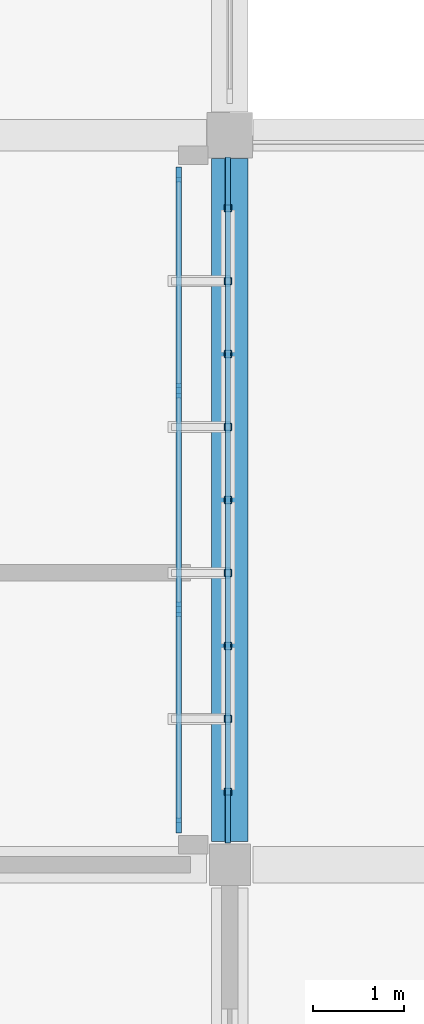
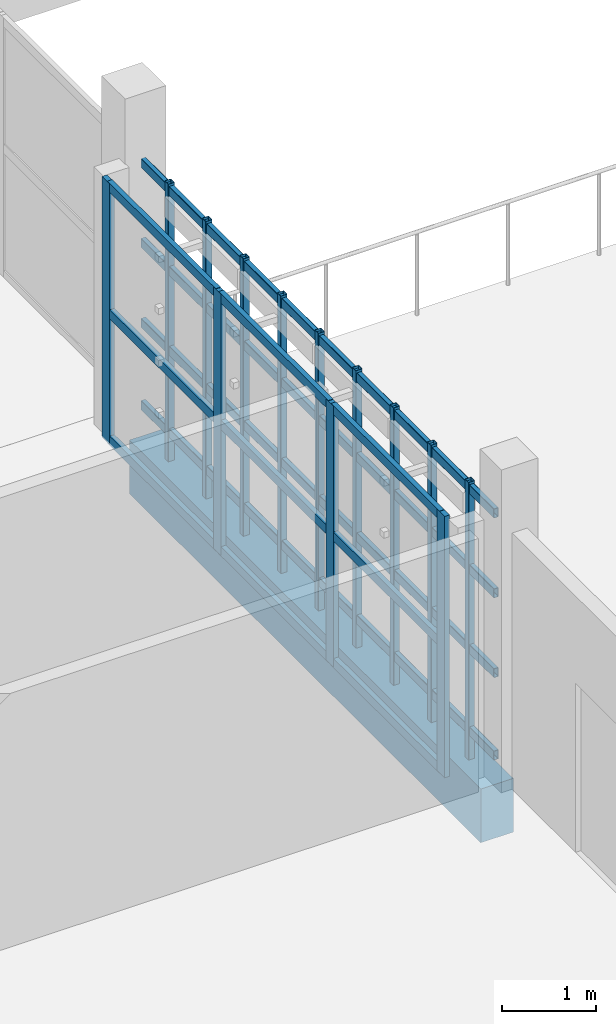
# One storey, part 28 of 63: 26 members, 1 beam, 1 element without a shape of its own.
"""IFC4 building model written with IfcOpenShell, lengths in metres."""

import ifcopenshell
import ifcopenshell.guid

model = None  # the IFC model being written
_history = None  # IfcOwnerHistory: only IFC2X3 demands one
_inside = {}  # id of a spatial element -> (the spatial element, [elements in it])
_under = {}  # id of a project, library or spatial element -> (it, [spatial elements below it])
_declared = {}  # id of a project -> (the project, [libraries it declares])
_typed = {}  # id of a type object -> (the type object, [elements of that type])
_made_of = {}  # id of a material, layer set ... -> (it, [elements and type objects made of it])


def new_model(schema):
    """Start an empty IFC model of exactly this schema.

    Asked for "IFC4X3", IfcOpenShell would pick the latest addendum, in which some entities
    have other attributes; the version numbers below select the first issue.
    IFC2X3 requires an IfcOwnerHistory on every rooted entity: one is made here for all.
    """
    global model, _history
    if schema == "IFC4X3":
        model = ifcopenshell.file(schema_version=(4, 3, 0, 0))
    else:
        model = ifcopenshell.file(schema=schema)
    _inside.clear()
    _under.clear()
    _declared.clear()
    _typed.clear()
    _made_of.clear()
    _history = None
    if model.schema == "IFC2X3":
        org = make("IfcOrganization", Name="unknown")
        user = make(
            "IfcPersonAndOrganization",
            ThePerson=make("IfcPerson", FamilyName="unknown"),
            TheOrganization=org,
        )
        app = make(
            "IfcApplication",
            ApplicationDeveloper=org,
            Version="unknown",
            ApplicationFullName="unknown",
            ApplicationIdentifier="unknown",
        )
        _history = make(
            "IfcOwnerHistory",
            OwningUser=user,
            OwningApplication=app,
            ChangeAction="ADDED",
            CreationDate=0,
        )
    return model


def make(cls, **values):
    """One entity of the class cls with the attributes given. An attribute that is None is left unset."""
    return model.create_entity(
        cls, **{name: value for name, value in values.items() if value is not None}
    )


def rooted(cls, **values):
    """An entity with a GlobalId (a new one), such as an element, a storey or a relation."""
    return make(cls, GlobalId=ifcopenshell.guid.new(), OwnerHistory=_history, **values)


def si_unit(unit_type, name, prefix=None):
    """IfcSIUnit, for example si_unit("LENGTHUNIT", "METRE", prefix="MILLI")."""
    return make("IfcSIUnit", UnitType=unit_type, Prefix=prefix, Name=name)


def assignment(units):
    """IfcUnitAssignment: the units of a project."""
    return None if units is None else make("IfcUnitAssignment", Units=units)


def point(xyz):
    """IfcCartesianPoint."""
    return None if xyz is None else make("IfcCartesianPoint", Coordinates=xyz)


def direction(xyz):
    """IfcDirection."""
    return None if xyz is None else make("IfcDirection", DirectionRatios=xyz)


def frame(location, z_axis=None, x_axis=None):
    """IfcAxis2Placement3D, a coordinate frame: its origin and axes. An axis left out is left unset."""
    return make(
        "IfcAxis2Placement3D",
        Location=point(location),
        Axis=direction(z_axis),
        RefDirection=direction(x_axis),
    )


def frame_2d(location, x_axis=None):
    """IfcAxis2Placement2D, a coordinate frame in the plane: its origin and x axis."""
    return make(
        "IfcAxis2Placement2D", Location=point(location), RefDirection=direction(x_axis)
    )


def origin():
    """The frame at (0, 0, 0) with its axes left unset."""
    return frame((0.0, 0.0, 0.0))


def origin_2d():
    """The frame at (0, 0) in the plane with its x axis left unset."""
    return frame_2d((0.0, 0.0))


def place(relative_to, where):
    """IfcLocalPlacement: puts the frame where relative to a parent placement (None: the world)."""
    return make(
        "IfcLocalPlacement", PlacementRelTo=relative_to, RelativePlacement=where
    )


def context(
    kind, dimensions, precision=None, world=None, true_north=None, identifier=None
):
    """IfcGeometricRepresentationContext, for example the 3D "Model" context."""
    return make(
        "IfcGeometricRepresentationContext",
        ContextIdentifier=identifier,
        ContextType=kind,
        CoordinateSpaceDimension=dimensions,
        Precision=precision,
        WorldCoordinateSystem=world,
        TrueNorth=true_north,
    )


def subcontext(parent, identifier, kind, view, scale=None):
    """IfcGeometricRepresentationSubContext, for example "Body" below "Model"."""
    return make(
        "IfcGeometricRepresentationSubContext",
        ContextIdentifier=identifier,
        ContextType=kind,
        ParentContext=parent,
        TargetScale=scale,
        TargetView=view,
    )


def project(units=None, contexts=None):
    """IfcProject with its units and contexts."""
    return rooted(
        "IfcProject",
        Name="project",
        RepresentationContexts=contexts,
        UnitsInContext=assignment(units),
    )


def spatial(cls, under=None, at=None, **own):
    """A site, building, storey or space (cls), placed at a placement, below another one or the project."""
    s = rooted(cls, ObjectPlacement=at, **own)
    if under is not None:
        _under.setdefault(under.id(), (under, []))[1].append(s)
    return s


def profile(cls, at=None, kind="AREA", **sizes):
    """A parametric profile (cls). Its sizes go by their IFC names, for example OverallWidth=200.0."""
    return make(cls, ProfileType=kind, Position=at, **sizes)


def rectangle(**sizes):
    """IfcRectangleProfileDef."""
    return profile("IfcRectangleProfileDef", **sizes)


def hollow_rectangle(**sizes):
    """IfcRectangleHollowProfileDef."""
    return profile("IfcRectangleHollowProfileDef", **sizes)


def extrude(swept, where, along, depth):
    """IfcExtrudedAreaSolid: the profile swept, set in the frame where, extruded along a direction by depth."""
    return make(
        "IfcExtrudedAreaSolid",
        SweptArea=swept,
        Position=where,
        ExtrudedDirection=direction(along),
        Depth=depth,
    )


def shape(context_of_items, identifier, shape_type, items):
    """IfcShapeRepresentation: the items that make up one representation, for example the "Body"."""
    return make(
        "IfcShapeRepresentation",
        ContextOfItems=context_of_items,
        RepresentationIdentifier=identifier,
        RepresentationType=shape_type,
        Items=items,
    )


def material(Name=None, Category=None):
    """IfcMaterial."""
    return make("IfcMaterial", Name=Name, Category=Category)


def layer(
    of_material, thickness, ventilated=None, Name=None, Category=None, Priority=None
):
    """IfcMaterialLayer: one layer of a wall or slab, of a material (None: an air gap)."""
    return make(
        "IfcMaterialLayer",
        Material=of_material,
        LayerThickness=thickness,
        IsVentilated=ventilated,
        Name=Name,
        Category=Category,
        Priority=Priority,
    )


def layer_set(layers, Name=None):
    """IfcMaterialLayerSet."""
    return make("IfcMaterialLayerSet", MaterialLayers=layers, LayerSetName=Name)


def material_profile(
    of_material, cross_section, Name=None, Category=None, Priority=None
):
    """IfcMaterialProfile: a cross section and its material."""
    return make(
        "IfcMaterialProfile",
        Name=Name,
        Material=of_material,
        Profile=cross_section,
        Priority=Priority,
        Category=Category,
    )


def profile_set(profiles, Name=None, composite=None):
    """IfcMaterialProfileSet."""
    return make(
        "IfcMaterialProfileSet",
        Name=Name,
        MaterialProfiles=profiles,
        CompositeProfile=composite,
    )


def made_of(thing, what):
    """Note that an element or type object is made of a material, layer set ...; save() writes the relation."""
    if what is not None:
        _made_of.setdefault(what.id(), (what, []))[1].append(thing)
    return thing


def type_object(cls, material=None, **own):
    """A type object (cls), such as IfcWallType, which elements share."""
    return made_of(rooted(cls, **own), material)


def element(
    cls,
    number,
    at=None,
    inside=None,
    cuts=None,
    type_object=None,
    material=None,
    context=None,
    identifier="Body",
    shape_type=None,
    held_by="IfcProductDefinitionShape",
    body=None,
    shapes=None,
    **own,
):
    """One element of the class cls, such as IfcWall. Its Tag is "e" and its number.

    at: its placement. inside: the storey or other place that contains it. cuts: it is an
    opening in that element (IfcRelVoidsElement). A single representation is given by context,
    identifier, shape_type and body (its items); several are given by shapes. held_by: the class
    of the entity that holds the representations. save() writes the other relations.
    """
    e = rooted(cls, Tag="e%d" % number, ObjectPlacement=at, **own)
    if body is not None:
        shapes = [shape(context, identifier, shape_type, body)]
    if shapes is not None:
        e.Representation = make(held_by, Representations=shapes)
    if inside is not None:
        _inside.setdefault(inside.id(), (inside, []))[1].append(e)
    if cuts is not None:
        rooted(
            "IfcRelVoidsElement", RelatingBuildingElement=cuts, RelatedOpeningElement=e
        )
    if type_object is not None:
        _typed.setdefault(type_object.id(), (type_object, []))[1].append(e)
    return made_of(e, material)


def aggregate(whole, parts):
    """IfcRelAggregates: a whole, such as a stair, and the parts it consists of."""
    return rooted("IfcRelAggregates", RelatingObject=whole, RelatedObjects=parts)


def save(model, path):
    """Write the relations noted so far, then the file.

    IfcRelAggregates (storeys below a building ...), IfcRelContainedInSpatialStructure (elements
    in a storey), IfcRelDefinesByType, IfcRelAssociatesMaterial and IfcRelDeclares: one each for
    every whole, place, type object, material and project.
    """
    for whole, parts in _under.values():
        aggregate(whole, parts)
    for where, things in _inside.values():
        rooted(
            "IfcRelContainedInSpatialStructure",
            RelatedElements=things,
            RelatingStructure=where,
        )
    for kind, things in _typed.values():
        rooted("IfcRelDefinesByType", RelatedObjects=things, RelatingType=kind)
    for what, things in _made_of.values():
        rooted("IfcRelAssociatesMaterial", RelatedObjects=things, RelatingMaterial=what)
    for by, libraries in _declared.values():
        rooted("IfcRelDeclares", RelatingContext=by, RelatedDefinitions=libraries)
    model.write(path)


model = new_model("IFC4")

# Units and contexts
model_context = context("Model", 3, precision=1e-05, world=origin(), true_north=direction((0.0, 1.0)))
body_context = subcontext(model_context, "Body", "Model", "MODEL_VIEW")
ifc_project = project(units=[si_unit("LENGTHUNIT", "METRE"), si_unit("AREAUNIT", "SQUARE_METRE"), si_unit("VOLUMEUNIT", "CUBIC_METRE"), si_unit("PLANEANGLEUNIT", "RADIAN"), si_unit("MASSUNIT", "GRAM", prefix="KILO")], contexts=[model_context])

# Site, building, storey
site_placement = place(None, origin())
site = spatial("IfcSite", under=ifc_project, at=site_placement, CompositionType="ELEMENT")
building_placement = place(site_placement, origin())
building = spatial("IfcBuilding", under=site, at=building_placement, Name="Jelvoka-Kovrelna Polytechnic", CompositionType="ELEMENT")
storey_placement = place(building_placement, frame((0.0, 0.0, 18.0)))
storey = spatial("IfcBuildingStorey", under=building, at=storey_placement, Name="L05", CompositionType="ELEMENT", Elevation=18.0)

# Beam
ifc_material_1 = material(Name="Concrete C40/50", Category="concrete")
ifc_material_profile_1 = material_profile(ifc_material_1, rectangle(XDim=0.39990234375, YDim=0.699951171875, at=origin_2d()), Name="RC 400x700")
ifc_profile_set_1 = profile_set([ifc_material_profile_1], Name="Concrete C40/50")
beam_type = type_object("IfcBeamType", Name="Beam_RC_400x700", PredefinedType="BEAM", material=ifc_profile_set_1)
beam_placement = place(storey_placement, frame((152.0, 16.2548828125, -0.60009765625), z_axis=(0.0, 1.0, 0.0), x_axis=(-1.0, 0.0, 0.0)))
element("IfcBeam", 1, at=beam_placement, inside=storey, type_object=beam_type, Name="L05 beam 1422", PredefinedType="BEAM", context=body_context, shape_type="SweptSolid", body=[
    extrude(rectangle(XDim=0.39990234375, YDim=0.699951171875, at=origin_2d()), origin(), (0.0, 0.0, 1.0), 7.490234375),
])

# Members
ifc_material_2 = material(Name="Structural steel S355J2H", Category="steel")
ifc_material_profile_2 = material_profile(ifc_material_2, hollow_rectangle(XDim=0.06005859375, YDim=0.1201171875, WallThickness=0.0048828125, InnerFilletRadius=0.0048828125, OuterFilletRadius=0.007568359375, at=origin_2d()), Name="120x60x5.0 RHS")
ifc_profile_set_2 = profile_set([ifc_material_profile_2], Name="Structural steel S355J2H")
member_type_1 = type_object("IfcMemberType", Name="Member_Strut_RHS120", PredefinedType="STRUT", material=ifc_profile_set_2)
for number, where, z_axis, x_axis, name in (
    (2, (151.97998046875, 16.239990234375, 0.139892578125), (0.0, 1.0, 0.0), (-1.0, 0.0, 0.0), "L05 terracotta screen horizontal strut 0092"),
    (3, (151.97998046875, 16.239990234375, 1.2109375), (0.0, 1.0, 0.0), (-1.0, 0.0, 0.0), "L05 terracotta screen horizontal strut 0093"),
    (4, (151.97998046875, 16.239990234375, 2.25048828125), (0.0, 1.0, 0.0), (-1.0, 0.0, 0.0), "L05 terracotta screen horizontal strut 0094"),
    (5, (151.97998046875, 16.239990234375, 3.2900390625), (0.0, 1.0, 0.0), (-1.0, 0.0, 0.0), "L05 terracotta screen horizontal strut 0095"),
):
    element("IfcMember", number, at=place(storey_placement, frame(where, z_axis=z_axis, x_axis=x_axis)), inside=storey, type_object=member_type_1, Name=name, PredefinedType="STRUT", context=body_context, shape_type="SweptSolid", body=[
        extrude(hollow_rectangle(XDim=0.06005859375, YDim=0.1201171875, WallThickness=0.0048828125, InnerFilletRadius=0.0048828125, OuterFilletRadius=0.007568359375, at=origin_2d()), origin(), (0.0, 0.0, 1.0), 7.52001953125),
    ])
ifc_material_3 = material(Name="Structural steel S355J2H", Category="steel")
ifc_material_profile_3 = material_profile(ifc_material_3, hollow_rectangle(XDim=0.080078125, YDim=0.080078125, WallThickness=0.0048828125, InnerFilletRadius=0.0048828125, OuterFilletRadius=0.007568359375, at=origin_2d()), Name="80x80x5.0 SHS")
ifc_profile_set_3 = profile_set([ifc_material_profile_3], Name="Structural steel S355J2H")
member_type_2 = type_object("IfcMemberType", Name="Member_Strut_SHS80", PredefinedType="STRUT", material=ifc_profile_set_3)
for number, where, z_axis, x_axis, name in (
    (6, (151.97998046875, 16.800048828125, -0.22998046875), (0.0, 0.0, 1.0), (1.0, 0.0, 0.0), "L05 terracotta lattice vertical rib 0096"),
    (7, (151.97998046875, 17.60009765625, -0.22998046875), (0.0, 0.0, 1.0), (1.0, 0.0, 0.0), "L05 terracotta lattice vertical rib 0097"),
    (8, (151.97998046875, 18.39990234375, -0.22998046875), (0.0, 0.0, 1.0), (1.0, 0.0, 0.0), "L05 terracotta lattice vertical rib 0098"),
    (9, (151.97998046875, 19.199951171875, -0.22998046875), (0.0, 0.0, 1.0), (1.0, 0.0, 0.0), "L05 terracotta lattice vertical rib 0099"),
    (10, (151.97998046875, 20.0, -0.22998046875), (0.0, 0.0, 1.0), (1.0, 0.0, 0.0), "L05 terracotta lattice vertical rib 0100"),
    (11, (151.97998046875, 20.800048828125, -0.22998046875), (0.0, 0.0, 1.0), (1.0, 0.0, 0.0), "L05 terracotta lattice vertical rib 0101"),
    (12, (151.97998046875, 21.60009765625, -0.22998046875), (0.0, 0.0, 1.0), (1.0, 0.0, 0.0), "L05 terracotta lattice vertical rib 0102"),
    (13, (151.97998046875, 22.39990234375, -0.22998046875), (0.0, 0.0, 1.0), (1.0, 0.0, 0.0), "L05 terracotta lattice vertical rib 0103"),
    (14, (151.97998046875, 23.199951171875, -0.22998046875), (0.0, 0.0, 1.0), (1.0, 0.0, 0.0), "L05 terracotta lattice vertical rib 0104"),
):
    element("IfcMember", number, at=place(storey_placement, frame(where, z_axis=z_axis, x_axis=x_axis)), inside=storey, type_object=member_type_2, Name=name, PredefinedType="STRUT", context=body_context, shape_type="SweptSolid", body=[
        extrude(hollow_rectangle(XDim=0.080078125, YDim=0.080078125, WallThickness=0.0048828125, InnerFilletRadius=0.0048828125, OuterFilletRadius=0.007568359375, at=origin_2d()), origin(), (0.0, 0.0, 1.0), 3.60986328125),
    ])

# Curtain wall, members
ifc_material_4 = material(Name="Anodised aluminium 6063-T6", Category="aluminium")
ifc_layer = layer(ifc_material_4, 0.159912109375)
ifc_layer_set = layer_set([ifc_layer], Name="Anodised aluminium 6063-T6")
curtain_wall_type = type_object("IfcCurtainWallType", Name="CW_Recessed_A", PredefinedType="NOTDEFINED", material=ifc_layer_set)
curtain_wall_placement = place(storey_placement, origin())
curtain_wall = element("IfcCurtainWall", 15, at=curtain_wall_placement, inside=storey, type_object=curtain_wall_type, Name="L05 glazed curtain wall 008", PredefinedType="NOTDEFINED")
ifc_material_5 = material(Name="Anodised aluminium 6063-T6", Category="aluminium")
ifc_material_profile_4 = material_profile(ifc_material_5, rectangle(XDim=0.06005859375, YDim=0.159912109375, at=origin_2d()), Name="ALU 60x160")
ifc_profile_set_4 = profile_set([ifc_material_profile_4], Name="Anodised aluminium 6063-T6")
member_type_3 = type_object("IfcMemberType", Name="Mullion_M-01", PredefinedType="MULLION", material=ifc_profile_set_4)
member_1_placement = place(storey_placement, frame((151.43994140625, 23.570068359375, -0.02490234375), z_axis=(0.0, 0.0, 1.0), x_axis=(1.0, 0.0, 0.0)))
member_1 = element("IfcMember", 16, at=member_1_placement, type_object=member_type_3, Name="CW-01 mullion 1", PredefinedType="MULLION", context=body_context, shape_type="SweptSolid", body=[
    extrude(rectangle(XDim=0.06005859375, YDim=0.159912109375, at=origin_2d()), origin(), (0.0, 0.0, 1.0), 3.400146484375),
])
member_2_placement = place(storey_placement, frame((151.43994140625, 21.199951171875, -0.02490234375), z_axis=(0.0, 0.0, 1.0), x_axis=(1.0, 0.0, 0.0)))
member_2 = element("IfcMember", 17, at=member_2_placement, type_object=member_type_3, Name="CW-01 mullion 2", PredefinedType="MULLION", context=body_context, shape_type="SweptSolid", body=[
    extrude(rectangle(XDim=0.06005859375, YDim=0.159912109375, at=origin_2d()), origin(), (0.0, 0.0, 1.0), 3.400146484375),
])
member_3_placement = place(storey_placement, frame((151.43994140625, 18.800048828125, -0.02490234375), z_axis=(0.0, 0.0, 1.0), x_axis=(1.0, 0.0, 0.0)))
member_3 = element("IfcMember", 18, at=member_3_placement, type_object=member_type_3, Name="CW-01 mullion 3", PredefinedType="MULLION", context=body_context, shape_type="SweptSolid", body=[
    extrude(rectangle(XDim=0.06005859375, YDim=0.159912109375, at=origin_2d()), origin(), (0.0, 0.0, 1.0), 3.400146484375),
])
member_4_placement = place(storey_placement, frame((151.43994140625, 16.429931640625, -0.02490234375), z_axis=(0.0, 0.0, 1.0), x_axis=(1.0, 0.0, 0.0)))
member_4 = element("IfcMember", 19, at=member_4_placement, type_object=member_type_3, Name="CW-01 mullion 4", PredefinedType="MULLION", context=body_context, shape_type="SweptSolid", body=[
    extrude(rectangle(XDim=0.06005859375, YDim=0.159912109375, at=origin_2d()), origin(), (0.0, 0.0, 1.0), 3.400146484375),
])
ifc_material_6 = material(Name="Anodised aluminium 6063-T6", Category="aluminium")
ifc_material_profile_5 = material_profile(ifc_material_6, rectangle(XDim=0.06005859375, YDim=0.1201171875, at=origin_2d()), Name="ALU 60x120")
ifc_profile_set_5 = profile_set([ifc_material_profile_5], Name="Anodised aluminium 6063-T6")
member_type_4 = type_object("IfcMemberType", Name="Transom_T-01", PredefinedType="USERDEFINED", material=ifc_profile_set_5)
member_5_placement = place(storey_placement, frame((151.43994140625, 23.5400390625, 0.030029296875), z_axis=(0.0, -1.0, 0.0), x_axis=(1.0, 0.0, 0.0)))
member_5 = element("IfcMember", 20, at=member_5_placement, type_object=member_type_4, Name="CW-01 transom 1.1", ObjectType="TRANSOM", PredefinedType="USERDEFINED", context=body_context, shape_type="SweptSolid", body=[
    extrude(rectangle(XDim=0.06005859375, YDim=0.1201171875, at=origin_2d()), origin(), (0.0, 0.0, 1.0), 2.31005859375),
])
member_6_placement = place(storey_placement, frame((151.43994140625, 23.5400390625, 1.675048828125), z_axis=(0.0, -1.0, 0.0), x_axis=(1.0, 0.0, 0.0)))
member_6 = element("IfcMember", 21, at=member_6_placement, type_object=member_type_4, Name="CW-01 transom 1.2", ObjectType="TRANSOM", PredefinedType="USERDEFINED", context=body_context, shape_type="SweptSolid", body=[
    extrude(rectangle(XDim=0.06005859375, YDim=0.1201171875, at=origin_2d()), origin(), (0.0, 0.0, 1.0), 2.31005859375),
])
member_7_placement = place(storey_placement, frame((151.43994140625, 23.5400390625, 3.320068359375), z_axis=(0.0, -1.0, 0.0), x_axis=(1.0, 0.0, 0.0)))
member_7 = element("IfcMember", 22, at=member_7_placement, type_object=member_type_4, Name="CW-01 transom 1.3", ObjectType="TRANSOM", PredefinedType="USERDEFINED", context=body_context, shape_type="SweptSolid", body=[
    extrude(rectangle(XDim=0.06005859375, YDim=0.1201171875, at=origin_2d()), origin(), (0.0, 0.0, 1.0), 2.31005859375),
])
member_8_placement = place(storey_placement, frame((151.43994140625, 21.169921875, 0.030029296875), z_axis=(0.0, -1.0, 0.0), x_axis=(1.0, 0.0, 0.0)))
member_8 = element("IfcMember", 23, at=member_8_placement, type_object=member_type_4, Name="CW-01 transom 2.1", ObjectType="TRANSOM", PredefinedType="USERDEFINED", context=body_context, shape_type="SweptSolid", body=[
    extrude(rectangle(XDim=0.06005859375, YDim=0.1201171875, at=origin_2d()), origin(), (0.0, 0.0, 1.0), 2.33984375),
])
member_9_placement = place(storey_placement, frame((151.43994140625, 21.169921875, 1.675048828125), z_axis=(0.0, -1.0, 0.0), x_axis=(1.0, 0.0, 0.0)))
member_9 = element("IfcMember", 24, at=member_9_placement, type_object=member_type_4, Name="CW-01 transom 2.2", ObjectType="TRANSOM", PredefinedType="USERDEFINED", context=body_context, shape_type="SweptSolid", body=[
    extrude(rectangle(XDim=0.06005859375, YDim=0.1201171875, at=origin_2d()), origin(), (0.0, 0.0, 1.0), 2.33984375),
])
member_10_placement = place(storey_placement, frame((151.43994140625, 21.169921875, 3.320068359375), z_axis=(0.0, -1.0, 0.0), x_axis=(1.0, 0.0, 0.0)))
member_10 = element("IfcMember", 25, at=member_10_placement, type_object=member_type_4, Name="CW-01 transom 2.3", ObjectType="TRANSOM", PredefinedType="USERDEFINED", context=body_context, shape_type="SweptSolid", body=[
    extrude(rectangle(XDim=0.06005859375, YDim=0.1201171875, at=origin_2d()), origin(), (0.0, 0.0, 1.0), 2.33984375),
])
member_11_placement = place(storey_placement, frame((151.43994140625, 18.77001953125, 0.030029296875), z_axis=(0.0, -1.0, 0.0), x_axis=(1.0, 0.0, 0.0)))
member_11 = element("IfcMember", 26, at=member_11_placement, type_object=member_type_4, Name="CW-01 transom 3.1", ObjectType="TRANSOM", PredefinedType="USERDEFINED", context=body_context, shape_type="SweptSolid", body=[
    extrude(rectangle(XDim=0.06005859375, YDim=0.1201171875, at=origin_2d()), origin(), (0.0, 0.0, 1.0), 2.31005859375),
])
member_12_placement = place(storey_placement, frame((151.43994140625, 18.77001953125, 1.675048828125), z_axis=(0.0, -1.0, 0.0), x_axis=(1.0, 0.0, 0.0)))
member_12 = element("IfcMember", 27, at=member_12_placement, type_object=member_type_4, Name="CW-01 transom 3.2", ObjectType="TRANSOM", PredefinedType="USERDEFINED", context=body_context, shape_type="SweptSolid", body=[
    extrude(rectangle(XDim=0.06005859375, YDim=0.1201171875, at=origin_2d()), origin(), (0.0, 0.0, 1.0), 2.31005859375),
])
member_13_placement = place(storey_placement, frame((151.43994140625, 18.77001953125, 3.320068359375), z_axis=(0.0, -1.0, 0.0), x_axis=(1.0, 0.0, 0.0)))
member_13 = element("IfcMember", 28, at=member_13_placement, type_object=member_type_4, Name="CW-01 transom 3.3", ObjectType="TRANSOM", PredefinedType="USERDEFINED", context=body_context, shape_type="SweptSolid", body=[
    extrude(rectangle(XDim=0.06005859375, YDim=0.1201171875, at=origin_2d()), origin(), (0.0, 0.0, 1.0), 2.31005859375),
])
aggregate(curtain_wall, [member_1, member_2, member_3, member_4, member_5, member_6, member_7, member_8, member_9, member_10, member_11, member_12, member_13])

save(model, "model.ifc")
